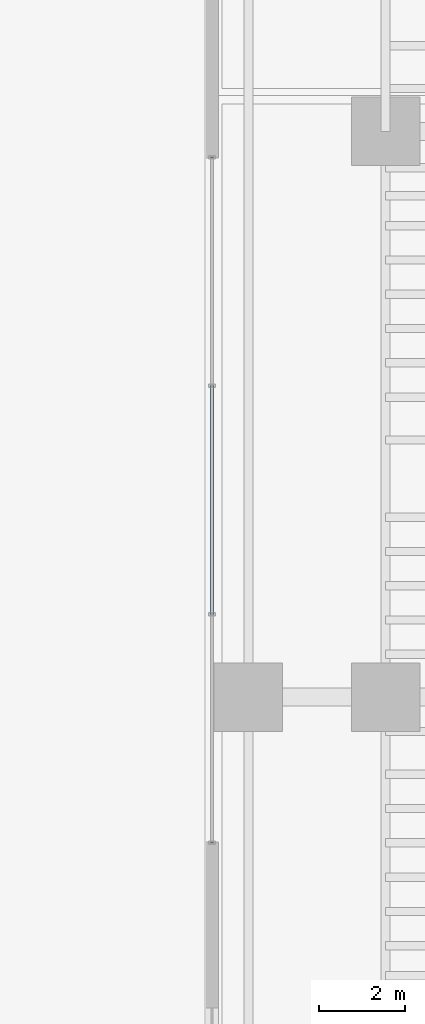
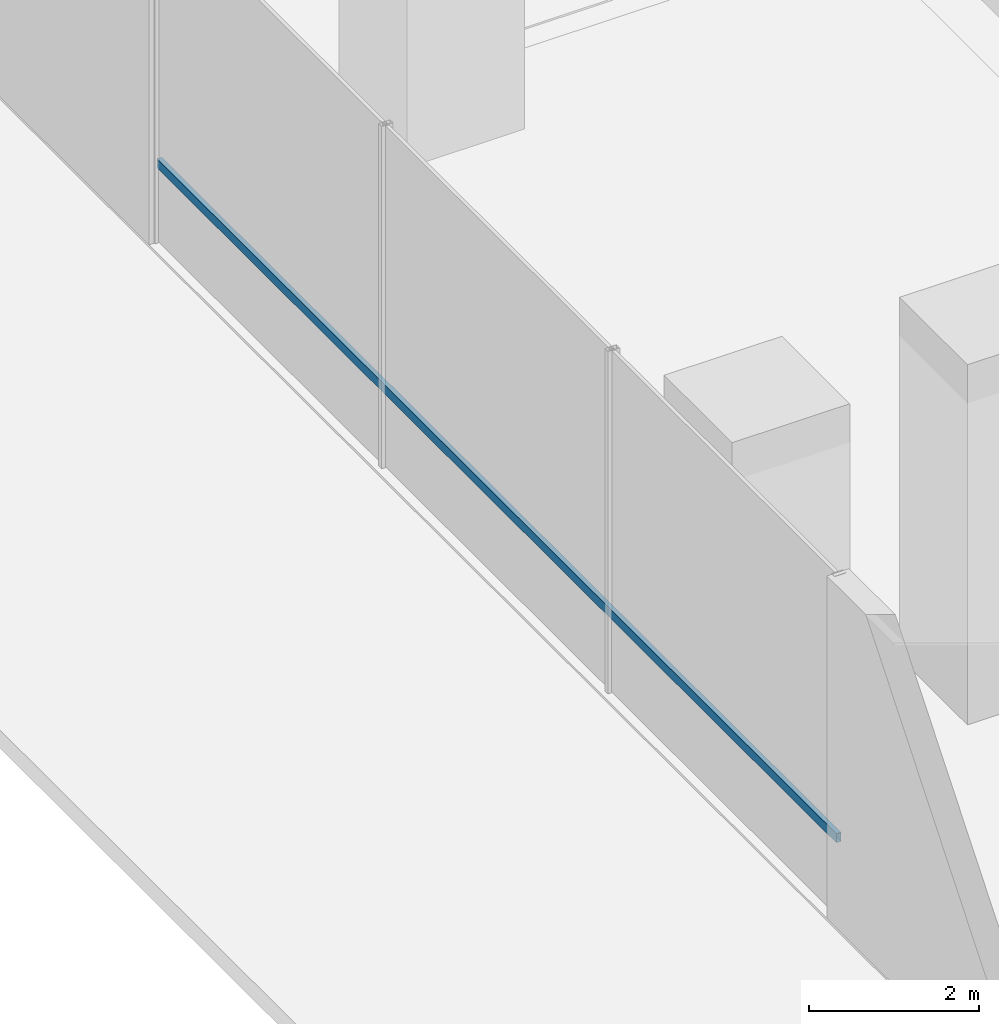
# One storey, part 5 of 27: 1 member, 1 element without a shape of its own.
"""IFC4 building model written with IfcOpenShell, lengths in metres."""

from ifc_helpers import new_model, si_unit, direction, frame, origin, origin_2d, place, context, subcontext, project, spatial, hollow_rectangle, extrude, source, transform, mapped, material, material_profile, profile_set, type_object, element, aggregate, save


model = new_model("IFC4")

# Units and contexts
model_context = context("Model", 3, precision=1e-05, world=origin(), true_north=direction((0.0, 1.0)))
body_context = subcontext(model_context, "Body", "Model", "MODEL_VIEW")
ifc_project = project(units=[si_unit("LENGTHUNIT", "METRE"), si_unit("AREAUNIT", "SQUARE_METRE"), si_unit("VOLUMEUNIT", "CUBIC_METRE"), si_unit("PLANEANGLEUNIT", "RADIAN"), si_unit("MASSUNIT", "GRAM", prefix="KILO")], contexts=[model_context])

# Site, building, storey
site_placement = place(None, origin())
site = spatial("IfcSite", under=ifc_project, at=site_placement, CompositionType="ELEMENT")
building_placement = place(site_placement, origin())
building = spatial("IfcBuilding", under=site, at=building_placement, Name="Valdorenza Pilgrim Sanctuary Tower", CompositionType="ELEMENT")
storey_placement = place(building_placement, origin())
storey = spatial("IfcBuildingStorey", under=building, at=storey_placement, Name="L00", CompositionType="ELEMENT", Elevation=0.0)

# Curtain wall, member
ifc_material_1 = material(Name="Curtain-wall IGU glazing", Category="glass")
curtain_wall_type = type_object("IfcCurtainWallType", Name="CW-SYS-01", PredefinedType="NOTDEFINED", material=ifc_material_1)
curtain_wall_placement = place(storey_placement, origin())
curtain_wall = element("IfcCurtainWall", 1, at=curtain_wall_placement, inside=storey, type_object=curtain_wall_type, Name="L00 Curtain Wall CW-POD-L00-WW", PredefinedType="NOTDEFINED")
ifc_material_2 = material(Name="Anodised aluminium AW-6060", Category="aluminium")
ifc_material_profile = material_profile(ifc_material_2, hollow_rectangle(XDim=0.06494140625, YDim=0.1298828125, WallThickness=0.00341796875, at=origin_2d()), Name="ALU-T 130x65x3.5")
ifc_profile_set = profile_set([ifc_material_profile], Name="Anodised aluminium AW-6060")
member_type = type_object("IfcMemberType", Name="CW-TRN-01", PredefinedType="USERDEFINED", material=ifc_profile_set)
shared_shape = source(origin(), body_context, "Body", "SweptSolid", [
    extrude(hollow_rectangle(XDim=0.06494140625, YDim=0.1298828125, WallThickness=0.00341796875, at=origin_2d()), origin(), (0.0, 0.0, 1.0), 16.0),
])
member_placement = place(storey_placement, frame((-33.85009765625, -6.0, 1.1201171875), z_axis=(0.0, 1.0, 0.0), x_axis=(-1.0, 0.0, 0.0)))
member = element("IfcMember", 2, at=member_placement, type_object=member_type, Name="CW-POD-L00-WW Transom 1", ObjectType="TRANSOM", PredefinedType="USERDEFINED", context=body_context, shape_type="MappedRepresentation", body=[
    mapped(shared_shape, transform((0.0, 0.0, 0.0), x_axis=(1.0, 0.0, 0.0), y_axis=(0.0, 1.0, 0.0), z_axis=(0.0, 0.0, 1.0), scale=1.0)),
])
aggregate(curtain_wall, [member])

save(model, "model.ifc")
